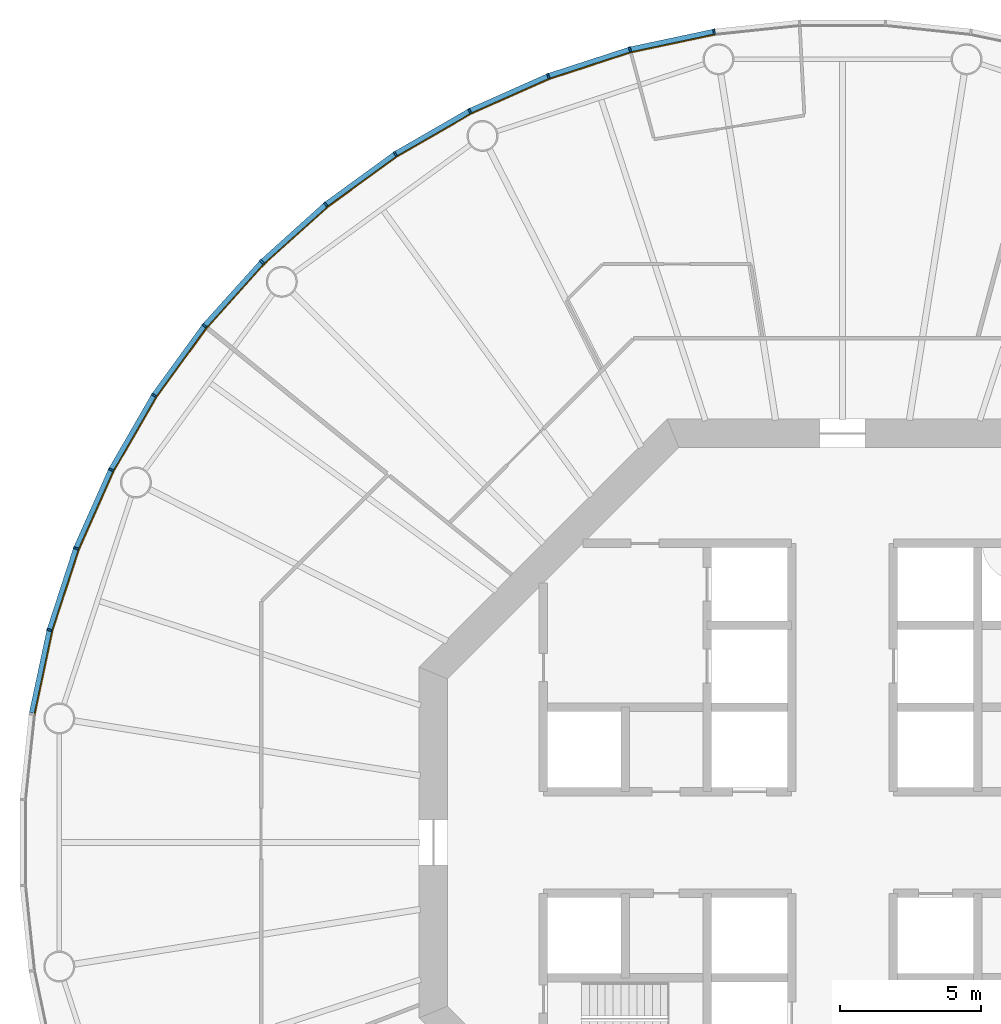
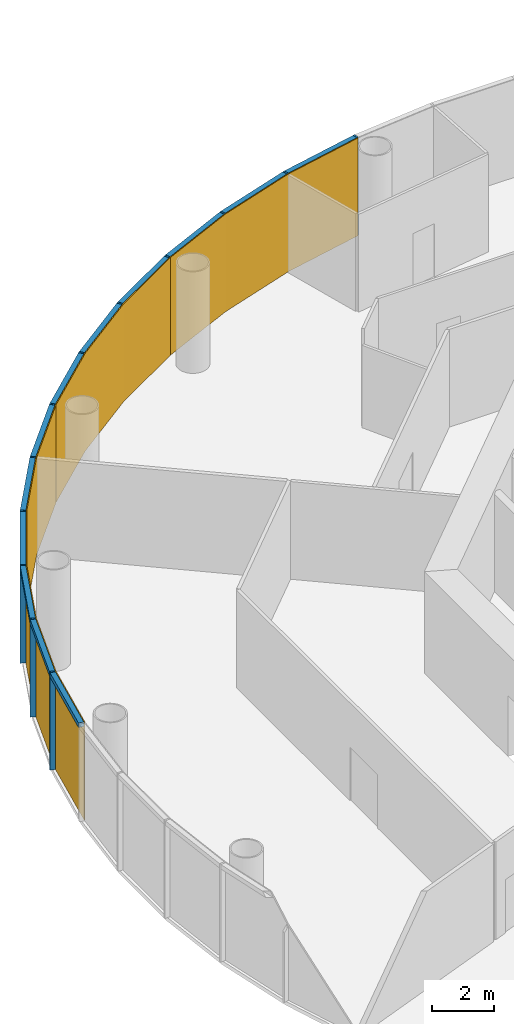
# One storey, part 9 of 12: 24 members, 4 curtain walls.
"""IFC4 building model written with IfcOpenShell, lengths in metres."""

from ifc_helpers import new_model, si_unit, direction, frame, origin, origin_2d, place, context, subcontext, project, spatial, polyline, rectangle, outline, extrude, material, layer, layer_set, material_profile, profile_set, type_object, element, aggregate, save


model = new_model("IFC4")

# Units and contexts
model_context = context("Model", 3, precision=1e-05, world=origin(), true_north=direction((0.0, 1.0)))
body_context = subcontext(model_context, "Body", "Model", "MODEL_VIEW")
ifc_project = project(units=[si_unit("LENGTHUNIT", "METRE"), si_unit("AREAUNIT", "SQUARE_METRE"), si_unit("VOLUMEUNIT", "CUBIC_METRE"), si_unit("PLANEANGLEUNIT", "RADIAN"), si_unit("MASSUNIT", "GRAM", prefix="KILO")], contexts=[model_context])

# Member
ifc_material_1 = material(Name="Anodised aluminium", Category="aluminium")
ifc_material_profile_1 = material_profile(ifc_material_1, rectangle(XDim=0.06494140625, YDim=0.18505859375, at=origin_2d()), Name="Mullion 65 x 185 mm anodised aluminium")
ifc_profile_set_1 = profile_set([ifc_material_profile_1], Name="Anodised aluminium")
member_type_1 = type_object("IfcMemberType", Name="Mullion 65 x 185 mm anodised aluminium", PredefinedType="MULLION", material=ifc_profile_set_1)
site_placement = place(None, origin())
building_placement = place(site_placement, origin())
storey_placement = place(building_placement, frame((0.0, 0.0, 152.0)))
member_1_placement = place(storey_placement, frame((85.448974609375, 108.734375, 0.0), z_axis=(0.0, 0.0, 1.0), x_axis=(-0.987688340595, -0.15643446504, 0.0)))
member_1 = element("IfcMember", 1, at=member_1_placement, type_object=member_type_1, Name="MULLION L34-15", PredefinedType="MULLION", context=body_context, shape_type="SweptSolid", body=[
    extrude(rectangle(XDim=0.06494140625, YDim=0.18505859375, at=origin_2d()), origin(), (0.0, 0.0, 1.0), 3.85009765625),
])

member_2_placement = place(storey_placement, frame((82.47021484375, 108.101318359375, 0.0), z_axis=(0.0, 0.0, 1.0), x_axis=(-0.965925826289, -0.258819045103, 0.0)))
member_2 = element("IfcMember", 2, at=member_2_placement, type_object=member_type_1, Name="MULLION L34-16", PredefinedType="MULLION", context=body_context, shape_type="SweptSolid", body=[
    extrude(rectangle(XDim=0.06494140625, YDim=0.18505859375, at=origin_2d()), origin(), (0.0, 0.0, 1.0), 3.85009765625),
])

member_3_placement = place(storey_placement, frame((79.57421875, 107.16015625, 0.0), z_axis=(0.0, 0.0, 1.0), x_axis=(-0.933580426497, -0.358367949545, 0.0)))
member_3 = element("IfcMember", 3, at=member_3_placement, type_object=member_type_1, Name="MULLION L34-17", PredefinedType="MULLION", context=body_context, shape_type="SweptSolid", body=[
    extrude(rectangle(XDim=0.06494140625, YDim=0.18505859375, at=origin_2d()), origin(), (0.0, 0.0, 1.0), 3.85009765625),
])

member_4_placement = place(storey_placement, frame((76.792236328125, 105.921630859375, 0.0), z_axis=(0.0, 0.0, 1.0), x_axis=(-0.891006524188, -0.45399049974, 0.0)))
member_4 = element("IfcMember", 4, at=member_4_placement, type_object=member_type_1, Name="MULLION L34-18", PredefinedType="MULLION", context=body_context, shape_type="SweptSolid", body=[
    extrude(rectangle(XDim=0.06494140625, YDim=0.18505859375, at=origin_2d()), origin(), (0.0, 0.0, 1.0), 3.85009765625),
])

member_5_placement = place(storey_placement, frame((74.155029296875, 104.39892578125, 0.0), z_axis=(0.0, 0.0, 1.0), x_axis=(-0.838670567945, -0.544639035015, 0.0)))
member_5 = element("IfcMember", 5, at=member_5_placement, type_object=member_type_1, Name="MULLION L34-19", PredefinedType="MULLION", context=body_context, shape_type="SweptSolid", body=[
    extrude(rectangle(XDim=0.06494140625, YDim=0.18505859375, at=origin_2d()), origin(), (0.0, 0.0, 1.0), 3.85009765625),
])

member_6_placement = place(storey_placement, frame((71.69140625, 102.609130859375, 0.0), z_axis=(0.0, 0.0, 1.0), x_axis=(-0.777145961457, -0.62932039105, 0.0)))
member_6 = element("IfcMember", 6, at=member_6_placement, type_object=member_type_1, Name="MULLION L34-20", PredefinedType="MULLION", context=body_context, shape_type="SweptSolid", body=[
    extrude(rectangle(XDim=0.06494140625, YDim=0.18505859375, at=origin_2d()), origin(), (0.0, 0.0, 1.0), 3.85009765625),
])

member_7_placement = place(storey_placement, frame((69.428466796875, 100.571533203125, 0.0), z_axis=(0.0, 0.0, 1.0), x_axis=(-0.707106781187, -0.707106781187, 0.0)))
member_7 = element("IfcMember", 7, at=member_7_placement, type_object=member_type_1, Name="MULLION L34-21", PredefinedType="MULLION", context=body_context, shape_type="SweptSolid", body=[
    extrude(rectangle(XDim=0.06494140625, YDim=0.18505859375, at=origin_2d()), origin(), (0.0, 0.0, 1.0), 3.85009765625),
])

member_8_placement = place(storey_placement, frame((67.390869140625, 98.30859375, 0.0), z_axis=(0.0, 0.0, 1.0), x_axis=(-0.62932039105, -0.777145961457, 0.0)))
member_8 = element("IfcMember", 8, at=member_8_placement, type_object=member_type_1, Name="MULLION L34-22", PredefinedType="MULLION", context=body_context, shape_type="SweptSolid", body=[
    extrude(rectangle(XDim=0.06494140625, YDim=0.18505859375, at=origin_2d()), origin(), (0.0, 0.0, 1.0), 3.85009765625),
])

member_9_placement = place(storey_placement, frame((65.60107421875, 95.844970703125, 0.0), z_axis=(0.0, 0.0, 1.0), x_axis=(-0.544639035015, -0.838670567945, 0.0)))
member_9 = element("IfcMember", 9, at=member_9_placement, type_object=member_type_1, Name="MULLION L34-23", PredefinedType="MULLION", context=body_context, shape_type="SweptSolid", body=[
    extrude(rectangle(XDim=0.06494140625, YDim=0.18505859375, at=origin_2d()), origin(), (0.0, 0.0, 1.0), 3.85009765625),
])

member_10_placement = place(storey_placement, frame((64.078369140625, 93.207763671875, 0.0), z_axis=(0.0, 0.0, 1.0), x_axis=(-0.45399049974, -0.891006524188, 0.0)))
member_10 = element("IfcMember", 10, at=member_10_placement, type_object=member_type_1, Name="MULLION L34-24", PredefinedType="MULLION", context=body_context, shape_type="SweptSolid", body=[
    extrude(rectangle(XDim=0.06494140625, YDim=0.18505859375, at=origin_2d()), origin(), (0.0, 0.0, 1.0), 3.85009765625),
])

member_11_placement = place(storey_placement, frame((62.83984375, 90.42578125, 0.0), z_axis=(0.0, 0.0, 1.0), x_axis=(-0.358367949545, -0.933580426497, 0.0)))
member_11 = element("IfcMember", 11, at=member_11_placement, type_object=member_type_1, Name="MULLION L34-25", PredefinedType="MULLION", context=body_context, shape_type="SweptSolid", body=[
    extrude(rectangle(XDim=0.06494140625, YDim=0.18505859375, at=origin_2d()), origin(), (0.0, 0.0, 1.0), 3.85009765625),
])

member_12_placement = place(storey_placement, frame((61.898681640625, 87.52978515625, 0.0), z_axis=(0.0, 0.0, 1.0), x_axis=(-0.258819045103, -0.965925826289, 0.0)))
member_12 = element("IfcMember", 12, at=member_12_placement, type_object=member_type_1, Name="MULLION L34-26", PredefinedType="MULLION", context=body_context, shape_type="SweptSolid", body=[
    extrude(rectangle(XDim=0.06494140625, YDim=0.18505859375, at=origin_2d()), origin(), (0.0, 0.0, 1.0), 3.85009765625),
])

ifc_material_2 = material(Name="Anodised aluminium", Category="aluminium")
ifc_material_profile_2 = material_profile(ifc_material_2, rectangle(XDim=0.18505859375, YDim=0.175048828125, at=origin_2d()), Name="Transom 175 x 185 mm anodised aluminium")
ifc_profile_set_2 = profile_set([ifc_material_profile_2], Name="Anodised aluminium")
member_type_2 = type_object("IfcMemberType", Name="Transom 175 x 185 mm anodised aluminium", PredefinedType="USERDEFINED", material=ifc_profile_set_2)
member_13_placement = place(storey_placement, frame((85.412353515625, 108.7265625, 3.762451171875), z_axis=(-0.97815822425, -0.207861704825, 0.0), x_axis=(0.207861704825, -0.97815822425, 0.0)))
member_13 = element("IfcMember", 13, at=member_13_placement, type_object=member_type_2, Name="TRANSOM L34-15", ObjectType="TRANSOM", PredefinedType="USERDEFINED", context=body_context, shape_type="SweptSolid", body=[
    extrude(rectangle(XDim=0.18505859375, YDim=0.175048828125, at=origin_2d()), origin(), (0.0, 0.0, 1.0), 2.970458984375),
])

member_14_placement = place(storey_placement, frame((82.434814453125, 108.08984375, 3.762451171875), z_axis=(-0.951055809184, -0.30901917063, 0.0), x_axis=(0.30901917063, -0.951055809184, 0.0)))
member_14 = element("IfcMember", 14, at=member_14_placement, type_object=member_type_2, Name="TRANSOM L34-16", ObjectType="TRANSOM", PredefinedType="USERDEFINED", context=body_context, shape_type="SweptSolid", body=[
    extrude(rectangle(XDim=0.18505859375, YDim=0.175048828125, at=origin_2d()), origin(), (0.0, 0.0, 1.0), 2.970703125),
])

member_15_placement = place(storey_placement, frame((79.5400390625, 107.14501953125, 3.762451171875), z_axis=(-0.913567348806, -0.406687471156, 0.0), x_axis=(0.406687471156, -0.913567348806, 0.0)))
member_15 = element("IfcMember", 15, at=member_15_placement, type_object=member_type_2, Name="TRANSOM L34-17", ObjectType="TRANSOM", PredefinedType="USERDEFINED", context=body_context, shape_type="SweptSolid", body=[
    extrude(rectangle(XDim=0.18505859375, YDim=0.175048828125, at=origin_2d()), origin(), (0.0, 0.0, 1.0), 2.970458984375),
])

member_16_placement = place(storey_placement, frame((76.759765625, 105.903076171875, 3.762451171875), z_axis=(-0.866009025146, -0.500028367561, 0.0), x_axis=(0.500028367561, -0.866009025146, 0.0)))
member_16 = element("IfcMember", 16, at=member_16_placement, type_object=member_type_2, Name="TRANSOM L34-18", ObjectType="TRANSOM", PredefinedType="USERDEFINED", context=body_context, shape_type="SweptSolid", body=[
    extrude(rectangle(XDim=0.18505859375, YDim=0.175048828125, at=origin_2d()), origin(), (0.0, 0.0, 1.0), 2.970458984375),
])

member_17_placement = place(storey_placement, frame((74.124755859375, 104.377197265625, 3.762451171875), z_axis=(-0.808991906087, -0.587819781808, 0.0), x_axis=(0.587819781808, -0.808991906087, 0.0)))
member_17 = element("IfcMember", 17, at=member_17_placement, type_object=member_type_2, Name="TRANSOM L34-19", ObjectType="TRANSOM", PredefinedType="USERDEFINED", context=body_context, shape_type="SweptSolid", body=[
    extrude(rectangle(XDim=0.18505859375, YDim=0.175048828125, at=origin_2d()), origin(), (0.0, 0.0, 1.0), 2.970458984375),
])

member_18_placement = place(storey_placement, frame((71.66357421875, 102.584228515625, 3.762451171875), z_axis=(-0.743163354343, -0.669110027395, 0.0), x_axis=(0.669110027395, -0.743163354343, 0.0)))
member_18 = element("IfcMember", 18, at=member_18_placement, type_object=member_type_2, Name="TRANSOM L34-20", ObjectType="TRANSOM", PredefinedType="USERDEFINED", context=body_context, shape_type="SweptSolid", body=[
    extrude(rectangle(XDim=0.18505859375, YDim=0.175048828125, at=origin_2d()), origin(), (0.0, 0.0, 1.0), 2.970458984375),
])

member_19_placement = place(storey_placement, frame((69.4033203125, 100.5439453125, 3.762451171875), z_axis=(-0.669110027395, -0.743163354343, 0.0), x_axis=(0.743163354343, -0.669110027395, 0.0)))
member_19 = element("IfcMember", 19, at=member_19_placement, type_object=member_type_2, Name="TRANSOM L34-21", ObjectType="TRANSOM", PredefinedType="USERDEFINED", context=body_context, shape_type="SweptSolid", body=[
    extrude(rectangle(XDim=0.18505859375, YDim=0.175048828125, at=origin_2d()), origin(), (0.0, 0.0, 1.0), 2.970458984375),
])

member_20_placement = place(storey_placement, frame((67.368896484375, 98.2783203125, 3.762451171875), z_axis=(-0.587819781808, -0.808991906087, 0.0), x_axis=(0.808991906087, -0.587819781808, 0.0)))
member_20 = element("IfcMember", 20, at=member_20_placement, type_object=member_type_2, Name="TRANSOM L34-22", ObjectType="TRANSOM", PredefinedType="USERDEFINED", context=body_context, shape_type="SweptSolid", body=[
    extrude(rectangle(XDim=0.18505859375, YDim=0.175048828125, at=origin_2d()), origin(), (0.0, 0.0, 1.0), 2.970458984375),
])

member_21_placement = place(storey_placement, frame((65.582275390625, 95.812744140625, 3.762451171875), z_axis=(-0.500028367561, -0.866009025146, 0.0), x_axis=(0.866009025146, -0.500028367561, 0.0)))
member_21 = element("IfcMember", 21, at=member_21_placement, type_object=member_type_2, Name="TRANSOM L34-23", ObjectType="TRANSOM", PredefinedType="USERDEFINED", context=body_context, shape_type="SweptSolid", body=[
    extrude(rectangle(XDim=0.18505859375, YDim=0.175048828125, at=origin_2d()), origin(), (0.0, 0.0, 1.0), 2.970458984375),
])

member_22_placement = place(storey_placement, frame((64.06298828125, 93.173583984375, 3.762451171875), z_axis=(-0.406687471156, -0.913567348806, 0.0), x_axis=(0.913567348806, -0.406687471156, 0.0)))
member_22 = element("IfcMember", 22, at=member_22_placement, type_object=member_type_2, Name="TRANSOM L34-24", ObjectType="TRANSOM", PredefinedType="USERDEFINED", context=body_context, shape_type="SweptSolid", body=[
    extrude(rectangle(XDim=0.18505859375, YDim=0.175048828125, at=origin_2d()), origin(), (0.0, 0.0, 1.0), 2.970458984375),
])

member_23_placement = place(storey_placement, frame((62.828125, 90.390380859375, 3.762451171875), z_axis=(-0.30901917063, -0.951055809184, 0.0), x_axis=(0.951055809184, -0.30901917063, 0.0)))
member_23 = element("IfcMember", 23, at=member_23_placement, type_object=member_type_2, Name="TRANSOM L34-25", ObjectType="TRANSOM", PredefinedType="USERDEFINED", context=body_context, shape_type="SweptSolid", body=[
    extrude(rectangle(XDim=0.18505859375, YDim=0.175048828125, at=origin_2d()), origin(), (0.0, 0.0, 1.0), 2.970703125),
])

member_24_placement = place(storey_placement, frame((61.890869140625, 87.4931640625, 3.762451171875), z_axis=(-0.207861704825, -0.97815822425, 0.0), x_axis=(0.97815822425, -0.207861704825, 0.0)))
member_24 = element("IfcMember", 24, at=member_24_placement, type_object=member_type_2, Name="TRANSOM L34-26", ObjectType="TRANSOM", PredefinedType="USERDEFINED", context=body_context, shape_type="SweptSolid", body=[
    extrude(rectangle(XDim=0.18505859375, YDim=0.175048828125, at=origin_2d()), origin(), (0.0, 0.0, 1.0), 2.970458984375),
])

# Site, building, storey
site = spatial("IfcSite", under=ifc_project, at=site_placement, CompositionType="ELEMENT")
building = spatial("IfcBuilding", under=site, at=building_placement, Name="Entoto Ring Tower", CompositionType="ELEMENT")
storey = spatial("IfcBuildingStorey", under=building, at=storey_placement, Name="L34", CompositionType="ELEMENT", Elevation=152.0)

# Curtain wall
ifc_material_3 = material(Name="Clear low-iron glass", Category="glass")
ifc_layer = layer(ifc_material_3, 0.033935546875)
ifc_layer_set = layer_set([ifc_layer], Name="Clear low-iron glass")
curtain_wall_type = type_object("IfcCurtainWallType", Name="Curtain wall system CW3 glazing 34 mm", PredefinedType="NOTDEFINED", material=ifc_layer_set)
curtain_wall_1_placement = place(storey_placement, origin())
curtain_wall_1 = element("IfcCurtainWall", 25, at=curtain_wall_1_placement, inside=storey, type_object=curtain_wall_type, Name="CW3 L34-06", PredefinedType="NOTDEFINED", context=body_context, shape_type="SweptSolid", body=[
    extrude(outline(polyline([(85.46337890625, 108.64306640625), (82.494140625, 108.011962890625), (79.607421875, 107.07373046875), (76.834228515625, 105.839111328125), (76.849853515625, 105.808837890625), (79.61962890625, 107.0419921875), (82.503173828125, 107.97900390625), (85.46875, 108.609375), (85.46337890625, 108.64306640625)])), origin(), (0.0, 0.0, 1.0), 3.85009765625),
])

aggregate(curtain_wall_1, [member_1, member_2, member_3, member_13, member_14, member_15])

curtain_wall_2_placement = place(storey_placement, origin())
curtain_wall_2 = element("IfcCurtainWall", 26, at=curtain_wall_2_placement, inside=storey, type_object=curtain_wall_type, Name="CW3 L34-07", PredefinedType="NOTDEFINED", context=body_context, shape_type="SweptSolid", body=[
    extrude(outline(polyline([(76.834228515625, 105.839111328125), (74.20556640625, 104.321533203125), (71.749755859375, 102.537353515625), (69.493896484375, 100.506103515625), (69.51806640625, 100.48193359375), (71.771240234375, 102.5107421875), (74.22412109375, 104.29296875), (76.849853515625, 105.808837890625), (76.834228515625, 105.839111328125)])), origin(), (0.0, 0.0, 1.0), 3.85009765625),
])

aggregate(curtain_wall_2, [member_4, member_5, member_6, member_16, member_17, member_18])

curtain_wall_3_placement = place(storey_placement, origin())
curtain_wall_3 = element("IfcCurtainWall", 27, at=curtain_wall_3_placement, inside=storey, type_object=curtain_wall_type, Name="CW3 L34-08", PredefinedType="NOTDEFINED", context=body_context, shape_type="SweptSolid", body=[
    extrude(outline(polyline([(69.493896484375, 100.506103515625), (67.462646484375, 98.250244140625), (65.678466796875, 95.79443359375), (64.160888671875, 93.165771484375), (64.191162109375, 93.150146484375), (65.70703125, 95.77587890625), (67.4892578125, 98.228759765625), (69.51806640625, 100.48193359375), (69.493896484375, 100.506103515625)])), origin(), (0.0, 0.0, 1.0), 3.85009765625),
])

aggregate(curtain_wall_3, [member_7, member_8, member_9, member_19, member_20, member_21])

curtain_wall_4_placement = place(storey_placement, origin())
curtain_wall_4 = element("IfcCurtainWall", 28, at=curtain_wall_4_placement, inside=storey, type_object=curtain_wall_type, Name="CW3 L34-09", PredefinedType="NOTDEFINED", context=body_context, shape_type="SweptSolid", body=[
    extrude(outline(polyline([(64.160888671875, 93.165771484375), (62.92626953125, 90.392578125), (61.988037109375, 87.505859375), (61.35693359375, 84.53662109375), (61.390625, 84.53125), (62.02099609375, 87.496826171875), (62.9580078125, 90.38037109375), (64.191162109375, 93.150146484375), (64.160888671875, 93.165771484375)])), origin(), (0.0, 0.0, 1.0), 3.85009765625),
])

aggregate(curtain_wall_4, [member_10, member_11, member_12, member_22, member_23, member_24])

save(model, "model.ifc")
